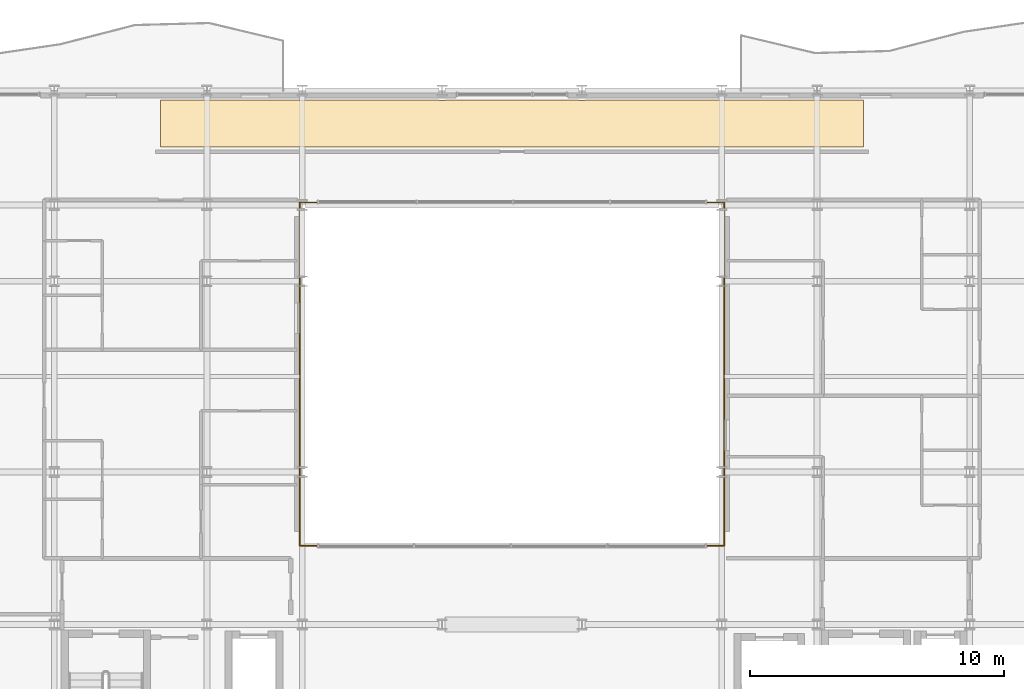
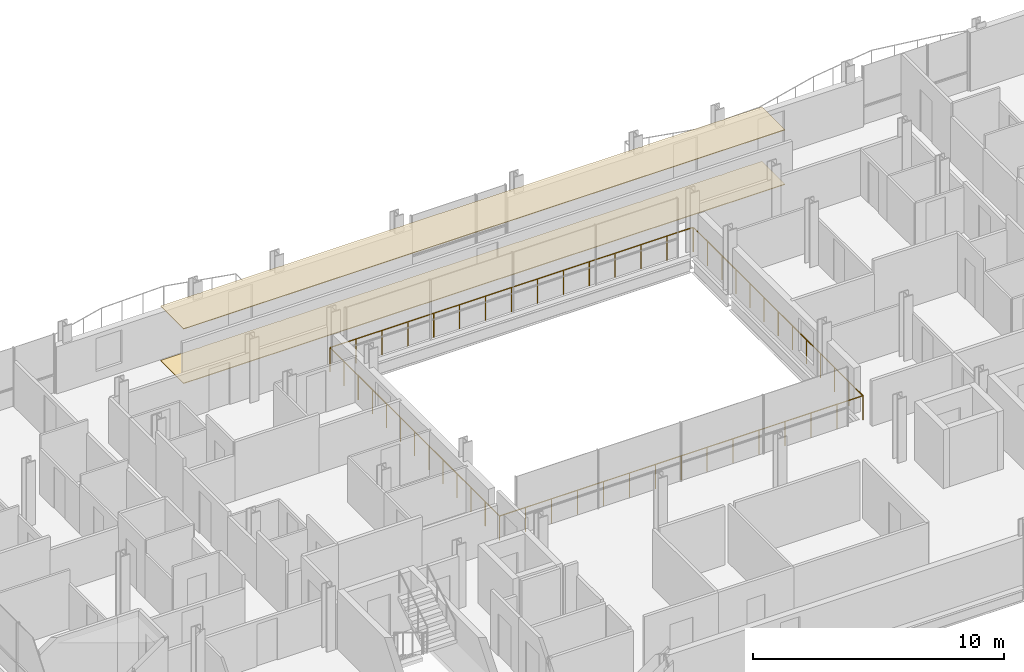
# One storey, part 38 of 40: 2 coverings, 2 railings.
"""IFC4 building model written with IfcOpenShell, lengths in metres."""

import ifcopenshell
import ifcopenshell.guid

model = None  # the IFC model being written
_history = None  # IfcOwnerHistory: only IFC2X3 demands one
_inside = {}  # id of a spatial element -> (the spatial element, [elements in it])
_under = {}  # id of a project, library or spatial element -> (it, [spatial elements below it])
_declared = {}  # id of a project -> (the project, [libraries it declares])
_typed = {}  # id of a type object -> (the type object, [elements of that type])
_made_of = {}  # id of a material, layer set ... -> (it, [elements and type objects made of it])


def new_model(schema):
    """Start an empty IFC model of exactly this schema.

    Asked for "IFC4X3", IfcOpenShell would pick the latest addendum, in which some entities
    have other attributes; the version numbers below select the first issue.
    IFC2X3 requires an IfcOwnerHistory on every rooted entity: one is made here for all.
    """
    global model, _history
    if schema == "IFC4X3":
        model = ifcopenshell.file(schema_version=(4, 3, 0, 0))
    else:
        model = ifcopenshell.file(schema=schema)
    _inside.clear()
    _under.clear()
    _declared.clear()
    _typed.clear()
    _made_of.clear()
    _history = None
    if model.schema == "IFC2X3":
        org = make("IfcOrganization", Name="unknown")
        user = make(
            "IfcPersonAndOrganization",
            ThePerson=make("IfcPerson", FamilyName="unknown"),
            TheOrganization=org,
        )
        app = make(
            "IfcApplication",
            ApplicationDeveloper=org,
            Version="unknown",
            ApplicationFullName="unknown",
            ApplicationIdentifier="unknown",
        )
        _history = make(
            "IfcOwnerHistory",
            OwningUser=user,
            OwningApplication=app,
            ChangeAction="ADDED",
            CreationDate=0,
        )
    return model


def make(cls, **values):
    """One entity of the class cls with the attributes given. An attribute that is None is left unset."""
    return model.create_entity(
        cls, **{name: value for name, value in values.items() if value is not None}
    )


def rooted(cls, **values):
    """An entity with a GlobalId (a new one), such as an element, a storey or a relation."""
    return make(cls, GlobalId=ifcopenshell.guid.new(), OwnerHistory=_history, **values)


def si_unit(unit_type, name, prefix=None):
    """IfcSIUnit, for example si_unit("LENGTHUNIT", "METRE", prefix="MILLI")."""
    return make("IfcSIUnit", UnitType=unit_type, Prefix=prefix, Name=name)


def assignment(units):
    """IfcUnitAssignment: the units of a project."""
    return None if units is None else make("IfcUnitAssignment", Units=units)


def point(xyz):
    """IfcCartesianPoint."""
    return None if xyz is None else make("IfcCartesianPoint", Coordinates=xyz)


def direction(xyz):
    """IfcDirection."""
    return None if xyz is None else make("IfcDirection", DirectionRatios=xyz)


def frame(location, z_axis=None, x_axis=None):
    """IfcAxis2Placement3D, a coordinate frame: its origin and axes. An axis left out is left unset."""
    return make(
        "IfcAxis2Placement3D",
        Location=point(location),
        Axis=direction(z_axis),
        RefDirection=direction(x_axis),
    )


def frame_2d(location, x_axis=None):
    """IfcAxis2Placement2D, a coordinate frame in the plane: its origin and x axis."""
    return make(
        "IfcAxis2Placement2D", Location=point(location), RefDirection=direction(x_axis)
    )


def origin():
    """The frame at (0, 0, 0) with its axes left unset."""
    return frame((0.0, 0.0, 0.0))


def origin_2d():
    """The frame at (0, 0) in the plane with its x axis left unset."""
    return frame_2d((0.0, 0.0))


def place(relative_to, where):
    """IfcLocalPlacement: puts the frame where relative to a parent placement (None: the world)."""
    return make(
        "IfcLocalPlacement", PlacementRelTo=relative_to, RelativePlacement=where
    )


def context(
    kind, dimensions, precision=None, world=None, true_north=None, identifier=None
):
    """IfcGeometricRepresentationContext, for example the 3D "Model" context."""
    return make(
        "IfcGeometricRepresentationContext",
        ContextIdentifier=identifier,
        ContextType=kind,
        CoordinateSpaceDimension=dimensions,
        Precision=precision,
        WorldCoordinateSystem=world,
        TrueNorth=true_north,
    )


def subcontext(parent, identifier, kind, view, scale=None):
    """IfcGeometricRepresentationSubContext, for example "Body" below "Model"."""
    return make(
        "IfcGeometricRepresentationSubContext",
        ContextIdentifier=identifier,
        ContextType=kind,
        ParentContext=parent,
        TargetScale=scale,
        TargetView=view,
    )


def project(units=None, contexts=None):
    """IfcProject with its units and contexts."""
    return rooted(
        "IfcProject",
        Name="project",
        RepresentationContexts=contexts,
        UnitsInContext=assignment(units),
    )


def spatial(cls, under=None, at=None, **own):
    """A site, building, storey or space (cls), placed at a placement, below another one or the project."""
    s = rooted(cls, ObjectPlacement=at, **own)
    if under is not None:
        _under.setdefault(under.id(), (under, []))[1].append(s)
    return s


def polyline(points):
    """IfcPolyline through the points."""
    return make("IfcPolyline", Points=[point(p) for p in points])


def profile(cls, at=None, kind="AREA", **sizes):
    """A parametric profile (cls). Its sizes go by their IFC names, for example OverallWidth=200.0."""
    return make(cls, ProfileType=kind, Position=at, **sizes)


def circle(**sizes):
    """IfcCircleProfileDef."""
    return profile("IfcCircleProfileDef", **sizes)


def outline(outer, holes=None, kind="AREA"):
    """IfcArbitraryClosedProfileDef: a profile drawn as a closed curve; with holes, ...WithVoids."""
    if holes is None:
        return make("IfcArbitraryClosedProfileDef", ProfileType=kind, OuterCurve=outer)
    return make(
        "IfcArbitraryProfileDefWithVoids",
        ProfileType=kind,
        OuterCurve=outer,
        InnerCurves=holes,
    )


def extrude(swept, where, along, depth):
    """IfcExtrudedAreaSolid: the profile swept, set in the frame where, extruded along a direction by depth."""
    return make(
        "IfcExtrudedAreaSolid",
        SweptArea=swept,
        Position=where,
        ExtrudedDirection=direction(along),
        Depth=depth,
    )


def shape(context_of_items, identifier, shape_type, items):
    """IfcShapeRepresentation: the items that make up one representation, for example the "Body"."""
    return make(
        "IfcShapeRepresentation",
        ContextOfItems=context_of_items,
        RepresentationIdentifier=identifier,
        RepresentationType=shape_type,
        Items=items,
    )


def material(Name=None, Category=None):
    """IfcMaterial."""
    return make("IfcMaterial", Name=Name, Category=Category)


def layer(
    of_material, thickness, ventilated=None, Name=None, Category=None, Priority=None
):
    """IfcMaterialLayer: one layer of a wall or slab, of a material (None: an air gap)."""
    return make(
        "IfcMaterialLayer",
        Material=of_material,
        LayerThickness=thickness,
        IsVentilated=ventilated,
        Name=Name,
        Category=Category,
        Priority=Priority,
    )


def layer_set(layers, Name=None):
    """IfcMaterialLayerSet."""
    return make("IfcMaterialLayerSet", MaterialLayers=layers, LayerSetName=Name)


def made_of(thing, what):
    """Note that an element or type object is made of a material, layer set ...; save() writes the relation."""
    if what is not None:
        _made_of.setdefault(what.id(), (what, []))[1].append(thing)
    return thing


def type_object(cls, material=None, **own):
    """A type object (cls), such as IfcWallType, which elements share."""
    return made_of(rooted(cls, **own), material)


def element(
    cls,
    number,
    at=None,
    inside=None,
    cuts=None,
    type_object=None,
    material=None,
    context=None,
    identifier="Body",
    shape_type=None,
    held_by="IfcProductDefinitionShape",
    body=None,
    shapes=None,
    **own,
):
    """One element of the class cls, such as IfcWall. Its Tag is "e" and its number.

    at: its placement. inside: the storey or other place that contains it. cuts: it is an
    opening in that element (IfcRelVoidsElement). A single representation is given by context,
    identifier, shape_type and body (its items); several are given by shapes. held_by: the class
    of the entity that holds the representations. save() writes the other relations.
    """
    e = rooted(cls, Tag="e%d" % number, ObjectPlacement=at, **own)
    if body is not None:
        shapes = [shape(context, identifier, shape_type, body)]
    if shapes is not None:
        e.Representation = make(held_by, Representations=shapes)
    if inside is not None:
        _inside.setdefault(inside.id(), (inside, []))[1].append(e)
    if cuts is not None:
        rooted(
            "IfcRelVoidsElement", RelatingBuildingElement=cuts, RelatedOpeningElement=e
        )
    if type_object is not None:
        _typed.setdefault(type_object.id(), (type_object, []))[1].append(e)
    return made_of(e, material)


def aggregate(whole, parts):
    """IfcRelAggregates: a whole, such as a stair, and the parts it consists of."""
    return rooted("IfcRelAggregates", RelatingObject=whole, RelatedObjects=parts)


def save(model, path):
    """Write the relations noted so far, then the file.

    IfcRelAggregates (storeys below a building ...), IfcRelContainedInSpatialStructure (elements
    in a storey), IfcRelDefinesByType, IfcRelAssociatesMaterial and IfcRelDeclares: one each for
    every whole, place, type object, material and project.
    """
    for whole, parts in _under.values():
        aggregate(whole, parts)
    for where, things in _inside.values():
        rooted(
            "IfcRelContainedInSpatialStructure",
            RelatedElements=things,
            RelatingStructure=where,
        )
    for kind, things in _typed.values():
        rooted("IfcRelDefinesByType", RelatedObjects=things, RelatingType=kind)
    for what, things in _made_of.values():
        rooted("IfcRelAssociatesMaterial", RelatedObjects=things, RelatingMaterial=what)
    for by, libraries in _declared.values():
        rooted("IfcRelDeclares", RelatingContext=by, RelatedDefinitions=libraries)
    model.write(path)


model = new_model("IFC4")

# Units and contexts
model_context = context("Model", 3, precision=1e-05, world=origin(), true_north=direction((0.0, 1.0)))
body_context = subcontext(model_context, "Body", "Model", "MODEL_VIEW")
ifc_project = project(units=[si_unit("LENGTHUNIT", "METRE"), si_unit("AREAUNIT", "SQUARE_METRE"), si_unit("VOLUMEUNIT", "CUBIC_METRE"), si_unit("PLANEANGLEUNIT", "RADIAN"), si_unit("MASSUNIT", "GRAM", prefix="KILO")], contexts=[model_context])

# Site, building, storey
site_placement = place(None, origin())
site = spatial("IfcSite", under=ifc_project, at=site_placement, CompositionType="ELEMENT")
building_placement = place(site_placement, origin())
building = spatial("IfcBuilding", under=site, at=building_placement, Name="Brevholm Reach", CompositionType="ELEMENT")
storey_placement = place(building_placement, frame((0.0, 0.0, 131.39990234375)))
storey = spatial("IfcBuildingStorey", under=building, at=storey_placement, Name="L39", CompositionType="ELEMENT", Elevation=131.39990234375)

# Coverings
ifc_material_1 = material(Name="Moisture-Resistant Skimmed Gypsum Plasterboard Ceiling", Category="gypsum")
ifc_layer_1 = layer(ifc_material_1, 0.030029296875)
ifc_layer_set_1 = layer_set([ifc_layer_1], Name="Moisture-Resistant Skimmed Gypsum Plasterboard Ceiling")
covering_type_1 = type_object("IfcCoveringType", Name="COV-CLG-GYP", PredefinedType="CEILING", material=ifc_layer_set_1)
covering_1_placement = place(storey_placement, frame((0.0, 0.0, 2.650146484375)))
element("IfcCovering", 1, at=covering_1_placement, inside=storey, type_object=covering_type_1, Name="L39 Suspended Ceiling L39-77", PredefinedType="CEILING", context=body_context, shape_type="SweptSolid", body=[
    extrude(outline(polyline([(16.179931640625, 30.6201171875), (17.876220703125, 30.6201171875), (17.8837890625, 30.6171875), (17.922119140625, 30.607666015625), (17.960693359375, 30.601806640625), (18.0, 30.60009765625), (18.039306640625, 30.601806640625), (18.077880859375, 30.607666015625), (18.1162109375, 30.6171875), (18.123779296875, 30.6201171875), (21.626220703125, 30.6201171875), (21.6337890625, 30.6171875), (21.672119140625, 30.607666015625), (21.710693359375, 30.601806640625), (21.75, 30.60009765625), (21.789306640625, 30.601806640625), (21.827880859375, 30.607666015625), (21.8662109375, 30.6171875), (21.873779296875, 30.6201171875), (27.126220703125, 30.6201171875), (27.1337890625, 30.6171875), (27.172119140625, 30.607666015625), (27.210693359375, 30.601806640625), (27.25, 30.60009765625), (27.289306640625, 30.601806640625), (27.327880859375, 30.607666015625), (27.3662109375, 30.6171875), (27.373779296875, 30.6201171875), (32.626220703125, 30.6201171875), (32.6337890625, 30.6171875), (32.672119140625, 30.607666015625), (32.710693359375, 30.601806640625), (32.75, 30.60009765625), (32.789306640625, 30.601806640625), (32.827880859375, 30.607666015625), (32.8662109375, 30.6171875), (32.873779296875, 30.6201171875), (38.126220703125, 30.6201171875), (38.1337890625, 30.6171875), (38.172119140625, 30.607666015625), (38.210693359375, 30.601806640625), (38.25, 30.60009765625), (38.289306640625, 30.601806640625), (38.327880859375, 30.607666015625), (38.3662109375, 30.6171875), (38.373779296875, 30.6201171875), (41.876220703125, 30.6201171875), (41.8837890625, 30.6171875), (41.922119140625, 30.607666015625), (41.960693359375, 30.601806640625), (42.0, 30.60009765625), (42.039306640625, 30.601806640625), (42.077880859375, 30.607666015625), (42.1162109375, 30.6171875), (42.123779296875, 30.6201171875), (43.820068359375, 30.6201171875), (43.820068359375, 28.783935546875), (16.179931640625, 28.783935546875), (16.179931640625, 30.6201171875)])), origin(), (0.0, 0.0, 1.0), 0.030029296875),
])
ifc_material_2 = material(Name="Honed Portland-Aggregate Resin Terrazzo Flooring", Category="concrete")
ifc_layer_2 = layer(ifc_material_2, 0.031982421875)
ifc_layer_set_2 = layer_set([ifc_layer_2], Name="Honed Portland-Aggregate Resin Terrazzo Flooring")
covering_type_2 = type_object("IfcCoveringType", Name="COV-FLR-TRZ", PredefinedType="FLOORING", material=ifc_layer_set_2)
covering_2_placement = place(storey_placement, origin())
element("IfcCovering", 2, at=covering_2_placement, inside=storey, type_object=covering_type_2, Name="L39 Floor Finish L39-77", PredefinedType="FLOORING", context=body_context, shape_type="SweptSolid", body=[
    extrude(outline(polyline([(16.179931640625, 30.6201171875), (17.876220703125, 30.6201171875), (17.8837890625, 30.6171875), (17.922119140625, 30.607666015625), (17.960693359375, 30.601806640625), (18.0, 30.60009765625), (18.039306640625, 30.601806640625), (18.077880859375, 30.607666015625), (18.1162109375, 30.6171875), (18.123779296875, 30.6201171875), (21.626220703125, 30.6201171875), (21.6337890625, 30.6171875), (21.672119140625, 30.607666015625), (21.710693359375, 30.601806640625), (21.75, 30.60009765625), (21.789306640625, 30.601806640625), (21.827880859375, 30.607666015625), (21.8662109375, 30.6171875), (21.873779296875, 30.6201171875), (27.126220703125, 30.6201171875), (27.1337890625, 30.6171875), (27.172119140625, 30.607666015625), (27.210693359375, 30.601806640625), (27.25, 30.60009765625), (27.289306640625, 30.601806640625), (27.327880859375, 30.607666015625), (27.3662109375, 30.6171875), (27.373779296875, 30.6201171875), (32.626220703125, 30.6201171875), (32.6337890625, 30.6171875), (32.672119140625, 30.607666015625), (32.710693359375, 30.601806640625), (32.75, 30.60009765625), (32.789306640625, 30.601806640625), (32.827880859375, 30.607666015625), (32.8662109375, 30.6171875), (32.873779296875, 30.6201171875), (38.126220703125, 30.6201171875), (38.1337890625, 30.6171875), (38.172119140625, 30.607666015625), (38.210693359375, 30.601806640625), (38.25, 30.60009765625), (38.289306640625, 30.601806640625), (38.327880859375, 30.607666015625), (38.3662109375, 30.6171875), (38.373779296875, 30.6201171875), (41.876220703125, 30.6201171875), (41.8837890625, 30.6171875), (41.922119140625, 30.607666015625), (41.960693359375, 30.601806640625), (42.0, 30.60009765625), (42.039306640625, 30.601806640625), (42.077880859375, 30.607666015625), (42.1162109375, 30.6171875), (42.123779296875, 30.6201171875), (43.820068359375, 30.6201171875), (43.820068359375, 28.783935546875), (16.179931640625, 28.783935546875), (16.179931640625, 30.6201171875)])), origin(), (0.0, 0.0, 1.0), 0.031982421875),
])

# Railings
ifc_material_3 = material(Name="Brushed Stainless Steel EN 1.4401 and Laminated Glass", Category="steel")
railing_type = type_object("IfcRailingType", Name="RAL-TERR-1200", PredefinedType="BALUSTRADE", material=ifc_material_3)
railing_1_placement = place(storey_placement, frame((21.64990234375, 13.10009765625, 0.0)))
element("IfcRailing", 3, at=railing_1_placement, inside=storey, type_object=railing_type, Name="L39 Guard Balustrade RAL-L39-AT-VOID-SW", PredefinedType="BALUSTRADE", context=body_context, shape_type="SweptSolid", body=[
    extrude(circle(Radius=0.02392578125, at=origin_2d()), frame((0.0, 0.0, 1.17578125), z_axis=(1.0, 0.0, 0.0), x_axis=(0.0, 1.0, 0.0)), (0.0, 0.0, 1.0), 16.7001953125),
    extrude(circle(Radius=0.02392578125, at=origin_2d()), frame((16.7001953125, 0.0, 1.17578125), z_axis=(0.0, 1.0, 0.0), x_axis=(-1.0, 0.0, 0.0)), (0.0, 0.0, 1.0), 13.47998046875),
    extrude(circle(Radius=0.02099609375, at=origin_2d()), origin(), (0.0, 0.0, 1.0), 1.15185546875),
    extrude(circle(Radius=0.02099609375, at=origin_2d()), frame((1.19287109375, 0.0, 0.0)), (0.0, 0.0, 1.0), 1.15185546875),
    extrude(circle(Radius=0.02099609375, at=origin_2d()), frame((2.3857421875, 0.0, 0.0)), (0.0, 0.0, 1.0), 1.15185546875),
    extrude(circle(Radius=0.02099609375, at=origin_2d()), frame((3.57861328125, 0.0, 0.0)), (0.0, 0.0, 1.0), 1.15185546875),
    extrude(circle(Radius=0.02099609375, at=origin_2d()), frame((4.771484375, 0.0, 0.0)), (0.0, 0.0, 1.0), 1.15185546875),
    extrude(circle(Radius=0.02099609375, at=origin_2d()), frame((5.96435546875, 0.0, 0.0)), (0.0, 0.0, 1.0), 1.15185546875),
    extrude(circle(Radius=0.02099609375, at=origin_2d()), frame((7.1572265625, 0.0, 0.0)), (0.0, 0.0, 1.0), 1.15185546875),
    extrude(circle(Radius=0.02099609375, at=origin_2d()), frame((8.35009765625, 0.0, 0.0)), (0.0, 0.0, 1.0), 1.15185546875),
    extrude(circle(Radius=0.02099609375, at=origin_2d()), frame((9.54296875, 0.0, 0.0)), (0.0, 0.0, 1.0), 1.15185546875),
    extrude(circle(Radius=0.02099609375, at=origin_2d()), frame((10.73583984375, 0.0, 0.0)), (0.0, 0.0, 1.0), 1.15185546875),
    extrude(circle(Radius=0.02099609375, at=origin_2d()), frame((11.9287109375, 0.0, 0.0)), (0.0, 0.0, 1.0), 1.15185546875),
    extrude(circle(Radius=0.02099609375, at=origin_2d()), frame((13.12158203125, 0.0, 0.0)), (0.0, 0.0, 1.0), 1.15185546875),
    extrude(circle(Radius=0.02099609375, at=origin_2d()), frame((14.314453125, 0.0, 0.0)), (0.0, 0.0, 1.0), 1.15185546875),
    extrude(circle(Radius=0.02099609375, at=origin_2d()), frame((15.50732421875, 0.0, 0.0)), (0.0, 0.0, 1.0), 1.15185546875),
    extrude(circle(Radius=0.02099609375, at=origin_2d()), frame((16.7001953125, 0.0, 0.0)), (0.0, 0.0, 1.0), 1.15185546875),
    extrude(circle(Radius=0.02099609375, at=origin_2d()), frame((16.7001953125, 1.123291015625, 0.0)), (0.0, 0.0, 1.0), 1.15185546875),
    extrude(circle(Radius=0.02099609375, at=origin_2d()), frame((16.7001953125, 2.24658203125, 0.0)), (0.0, 0.0, 1.0), 1.15185546875),
    extrude(circle(Radius=0.02099609375, at=origin_2d()), frame((16.7001953125, 3.3701171875, 0.0)), (0.0, 0.0, 1.0), 1.15185546875),
    extrude(circle(Radius=0.02099609375, at=origin_2d()), frame((16.7001953125, 4.493408203125, 0.0)), (0.0, 0.0, 1.0), 1.15185546875),
    extrude(circle(Radius=0.02099609375, at=origin_2d()), frame((16.7001953125, 5.61669921875, 0.0)), (0.0, 0.0, 1.0), 1.15185546875),
    extrude(circle(Radius=0.02099609375, at=origin_2d()), frame((16.7001953125, 6.739990234375, 0.0)), (0.0, 0.0, 1.0), 1.15185546875),
    extrude(circle(Radius=0.02099609375, at=origin_2d()), frame((16.7001953125, 7.86328125, 0.0)), (0.0, 0.0, 1.0), 1.15185546875),
    extrude(circle(Radius=0.02099609375, at=origin_2d()), frame((16.7001953125, 8.986572265625, 0.0)), (0.0, 0.0, 1.0), 1.15185546875),
    extrude(circle(Radius=0.02099609375, at=origin_2d()), frame((16.7001953125, 10.10986328125, 0.0)), (0.0, 0.0, 1.0), 1.15185546875),
    extrude(circle(Radius=0.02099609375, at=origin_2d()), frame((16.7001953125, 11.2333984375, 0.0)), (0.0, 0.0, 1.0), 1.15185546875),
    extrude(circle(Radius=0.02099609375, at=origin_2d()), frame((16.7001953125, 12.356689453125, 0.0)), (0.0, 0.0, 1.0), 1.15185546875),
    extrude(circle(Radius=0.02099609375, at=origin_2d()), frame((16.7001953125, 13.47998046875, 0.0)), (0.0, 0.0, 1.0), 1.15185546875),
])
railing_2_placement = place(storey_placement, frame((38.330078125, 26.60009765625, 0.0)))
element("IfcRailing", 4, at=railing_2_placement, inside=storey, type_object=railing_type, Name="L39 Guard Balustrade RAL-L39-AT-VOID-NE", PredefinedType="BALUSTRADE", context=body_context, shape_type="SweptSolid", body=[
    extrude(circle(Radius=0.02392578125, at=origin_2d()), frame((0.0, 0.0, 1.17578125), z_axis=(-1.0, 0.0, 0.0), x_axis=(0.0, -1.0, 0.0)), (0.0, 0.0, 1.0), 16.68017578125),
    extrude(circle(Radius=0.02392578125, at=origin_2d()), frame((-16.68017578125, 0.0, 1.17578125), z_axis=(0.0, -1.0, 0.0), x_axis=(1.0, 0.0, 0.0)), (0.0, 0.0, 1.0), 13.47998046875),
    extrude(circle(Radius=0.02099609375, at=origin_2d()), origin(), (0.0, 0.0, 1.0), 1.15185546875),
    extrude(circle(Radius=0.02099609375, at=origin_2d()), frame((-1.19140625, 0.0, 0.0)), (0.0, 0.0, 1.0), 1.15185546875),
    extrude(circle(Radius=0.02099609375, at=origin_2d()), frame((-2.3828125, 0.0, 0.0)), (0.0, 0.0, 1.0), 1.15185546875),
    extrude(circle(Radius=0.02099609375, at=origin_2d()), frame((-3.57421875, 0.0, 0.0)), (0.0, 0.0, 1.0), 1.15185546875),
    extrude(circle(Radius=0.02099609375, at=origin_2d()), frame((-4.765869140625, 0.0, 0.0)), (0.0, 0.0, 1.0), 1.15185546875),
    extrude(circle(Radius=0.02099609375, at=origin_2d()), frame((-5.957275390625, 0.0, 0.0)), (0.0, 0.0, 1.0), 1.15185546875),
    extrude(circle(Radius=0.02099609375, at=origin_2d()), frame((-7.148681640625, 0.0, 0.0)), (0.0, 0.0, 1.0), 1.15185546875),
    extrude(circle(Radius=0.02099609375, at=origin_2d()), frame((-8.340087890625, 0.0, 0.0)), (0.0, 0.0, 1.0), 1.15185546875),
    extrude(circle(Radius=0.02099609375, at=origin_2d()), frame((-9.531494140625, 0.0, 0.0)), (0.0, 0.0, 1.0), 1.15185546875),
    extrude(circle(Radius=0.02099609375, at=origin_2d()), frame((-10.722900390625, 0.0, 0.0)), (0.0, 0.0, 1.0), 1.15185546875),
    extrude(circle(Radius=0.02099609375, at=origin_2d()), frame((-11.914306640625, 0.0, 0.0)), (0.0, 0.0, 1.0), 1.15185546875),
    extrude(circle(Radius=0.02099609375, at=origin_2d()), frame((-13.10595703125, 0.0, 0.0)), (0.0, 0.0, 1.0), 1.15185546875),
    extrude(circle(Radius=0.02099609375, at=origin_2d()), frame((-14.29736328125, 0.0, 0.0)), (0.0, 0.0, 1.0), 1.15185546875),
    extrude(circle(Radius=0.02099609375, at=origin_2d()), frame((-15.48876953125, 0.0, 0.0)), (0.0, 0.0, 1.0), 1.15185546875),
    extrude(circle(Radius=0.02099609375, at=origin_2d()), frame((-16.68017578125, 0.0, 0.0)), (0.0, 0.0, 1.0), 1.15185546875),
    extrude(circle(Radius=0.02099609375, at=origin_2d()), frame((-16.68017578125, -1.123291015625, 0.0)), (0.0, 0.0, 1.0), 1.15185546875),
    extrude(circle(Radius=0.02099609375, at=origin_2d()), frame((-16.68017578125, -2.24658203125, 0.0)), (0.0, 0.0, 1.0), 1.15185546875),
    extrude(circle(Radius=0.02099609375, at=origin_2d()), frame((-16.68017578125, -3.3701171875, 0.0)), (0.0, 0.0, 1.0), 1.15185546875),
    extrude(circle(Radius=0.02099609375, at=origin_2d()), frame((-16.68017578125, -4.493408203125, 0.0)), (0.0, 0.0, 1.0), 1.15185546875),
    extrude(circle(Radius=0.02099609375, at=origin_2d()), frame((-16.68017578125, -5.61669921875, 0.0)), (0.0, 0.0, 1.0), 1.15185546875),
    extrude(circle(Radius=0.02099609375, at=origin_2d()), frame((-16.68017578125, -6.739990234375, 0.0)), (0.0, 0.0, 1.0), 1.15185546875),
    extrude(circle(Radius=0.02099609375, at=origin_2d()), frame((-16.68017578125, -7.86328125, 0.0)), (0.0, 0.0, 1.0), 1.15185546875),
    extrude(circle(Radius=0.02099609375, at=origin_2d()), frame((-16.68017578125, -8.986572265625, 0.0)), (0.0, 0.0, 1.0), 1.15185546875),
    extrude(circle(Radius=0.02099609375, at=origin_2d()), frame((-16.68017578125, -10.10986328125, 0.0)), (0.0, 0.0, 1.0), 1.15185546875),
    extrude(circle(Radius=0.02099609375, at=origin_2d()), frame((-16.68017578125, -11.2333984375, 0.0)), (0.0, 0.0, 1.0), 1.15185546875),
    extrude(circle(Radius=0.02099609375, at=origin_2d()), frame((-16.68017578125, -12.356689453125, 0.0)), (0.0, 0.0, 1.0), 1.15185546875),
    extrude(circle(Radius=0.02099609375, at=origin_2d()), frame((-16.68017578125, -13.47998046875, 0.0)), (0.0, 0.0, 1.0), 1.15185546875),
])

save(model, "model.ifc")
